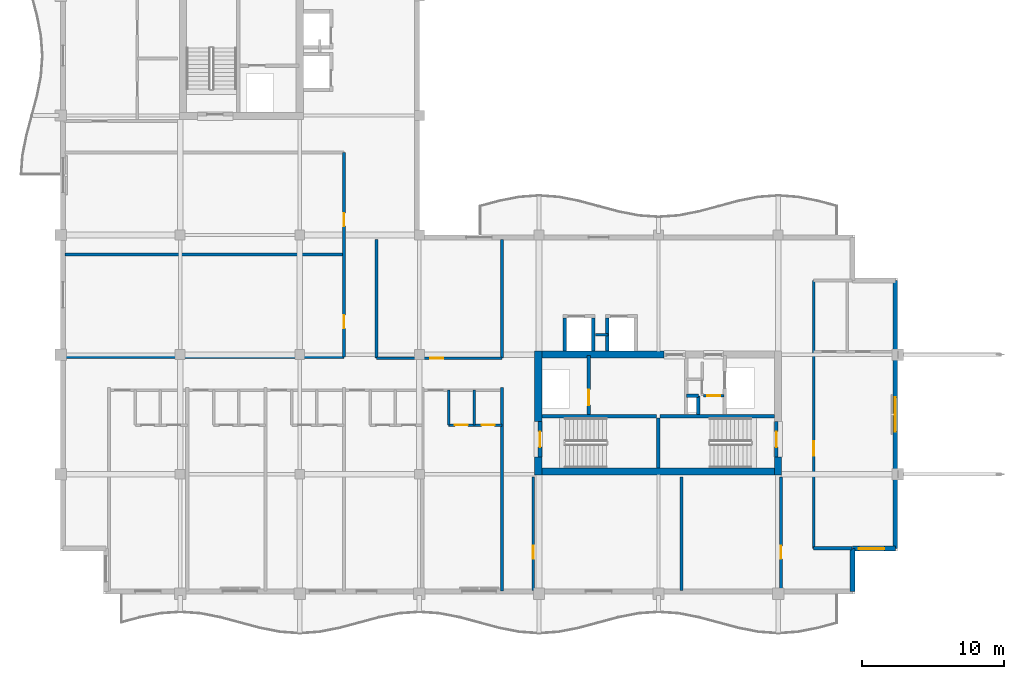
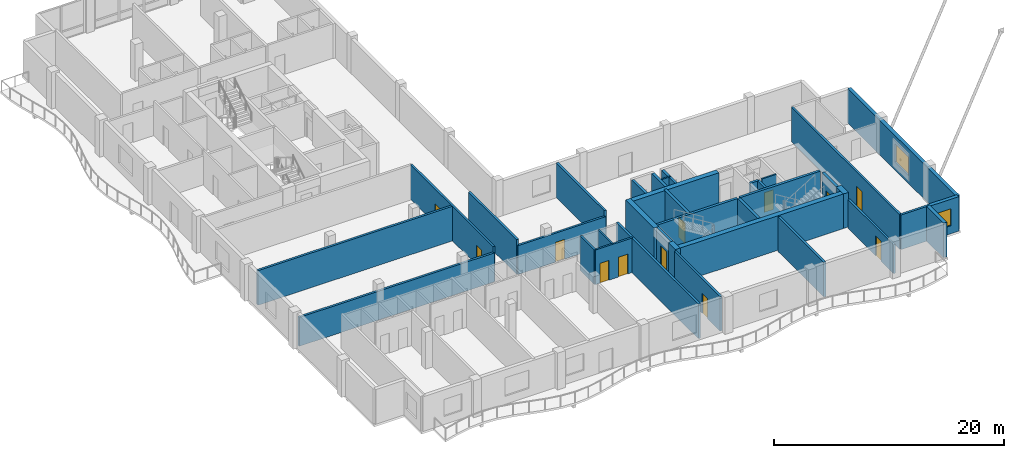
# One storey, part 8 of 17: 36 walls, 12 doors, 2 windows, 14 openings.
"""IFC4 building model written with IfcOpenShell, lengths in metres."""

import ifcopenshell
import ifcopenshell.guid

model = None  # the IFC model being written
_history = None  # IfcOwnerHistory: only IFC2X3 demands one
_inside = {}  # id of a spatial element -> (the spatial element, [elements in it])
_under = {}  # id of a project, library or spatial element -> (it, [spatial elements below it])
_declared = {}  # id of a project -> (the project, [libraries it declares])
_typed = {}  # id of a type object -> (the type object, [elements of that type])
_made_of = {}  # id of a material, layer set ... -> (it, [elements and type objects made of it])


def new_model(schema):
    """Start an empty IFC model of exactly this schema.

    Asked for "IFC4X3", IfcOpenShell would pick the latest addendum, in which some entities
    have other attributes; the version numbers below select the first issue.
    IFC2X3 requires an IfcOwnerHistory on every rooted entity: one is made here for all.
    """
    global model, _history
    if schema == "IFC4X3":
        model = ifcopenshell.file(schema_version=(4, 3, 0, 0))
    else:
        model = ifcopenshell.file(schema=schema)
    _inside.clear()
    _under.clear()
    _declared.clear()
    _typed.clear()
    _made_of.clear()
    _history = None
    if model.schema == "IFC2X3":
        org = make("IfcOrganization", Name="unknown")
        user = make(
            "IfcPersonAndOrganization",
            ThePerson=make("IfcPerson", FamilyName="unknown"),
            TheOrganization=org,
        )
        app = make(
            "IfcApplication",
            ApplicationDeveloper=org,
            Version="unknown",
            ApplicationFullName="unknown",
            ApplicationIdentifier="unknown",
        )
        _history = make(
            "IfcOwnerHistory",
            OwningUser=user,
            OwningApplication=app,
            ChangeAction="ADDED",
            CreationDate=0,
        )
    return model


def make(cls, **values):
    """One entity of the class cls with the attributes given. An attribute that is None is left unset."""
    return model.create_entity(
        cls, **{name: value for name, value in values.items() if value is not None}
    )


def rooted(cls, **values):
    """An entity with a GlobalId (a new one), such as an element, a storey or a relation."""
    return make(cls, GlobalId=ifcopenshell.guid.new(), OwnerHistory=_history, **values)


def si_unit(unit_type, name, prefix=None):
    """IfcSIUnit, for example si_unit("LENGTHUNIT", "METRE", prefix="MILLI")."""
    return make("IfcSIUnit", UnitType=unit_type, Prefix=prefix, Name=name)


def assignment(units):
    """IfcUnitAssignment: the units of a project."""
    return None if units is None else make("IfcUnitAssignment", Units=units)


def point(xyz):
    """IfcCartesianPoint."""
    return None if xyz is None else make("IfcCartesianPoint", Coordinates=xyz)


def direction(xyz):
    """IfcDirection."""
    return None if xyz is None else make("IfcDirection", DirectionRatios=xyz)


def frame(location, z_axis=None, x_axis=None):
    """IfcAxis2Placement3D, a coordinate frame: its origin and axes. An axis left out is left unset."""
    return make(
        "IfcAxis2Placement3D",
        Location=point(location),
        Axis=direction(z_axis),
        RefDirection=direction(x_axis),
    )


def frame_2d(location, x_axis=None):
    """IfcAxis2Placement2D, a coordinate frame in the plane: its origin and x axis."""
    return make(
        "IfcAxis2Placement2D", Location=point(location), RefDirection=direction(x_axis)
    )


def origin():
    """The frame at (0, 0, 0) with its axes left unset."""
    return frame((0.0, 0.0, 0.0))


def place(relative_to, where):
    """IfcLocalPlacement: puts the frame where relative to a parent placement (None: the world)."""
    return make(
        "IfcLocalPlacement", PlacementRelTo=relative_to, RelativePlacement=where
    )


def context(
    kind, dimensions, precision=None, world=None, true_north=None, identifier=None
):
    """IfcGeometricRepresentationContext, for example the 3D "Model" context."""
    return make(
        "IfcGeometricRepresentationContext",
        ContextIdentifier=identifier,
        ContextType=kind,
        CoordinateSpaceDimension=dimensions,
        Precision=precision,
        WorldCoordinateSystem=world,
        TrueNorth=true_north,
    )


def subcontext(parent, identifier, kind, view, scale=None):
    """IfcGeometricRepresentationSubContext, for example "Body" below "Model"."""
    return make(
        "IfcGeometricRepresentationSubContext",
        ContextIdentifier=identifier,
        ContextType=kind,
        ParentContext=parent,
        TargetScale=scale,
        TargetView=view,
    )


def project(units=None, contexts=None):
    """IfcProject with its units and contexts."""
    return rooted(
        "IfcProject",
        Name="project",
        RepresentationContexts=contexts,
        UnitsInContext=assignment(units),
    )


def spatial(cls, under=None, at=None, **own):
    """A site, building, storey or space (cls), placed at a placement, below another one or the project."""
    s = rooted(cls, ObjectPlacement=at, **own)
    if under is not None:
        _under.setdefault(under.id(), (under, []))[1].append(s)
    return s


def profile(cls, at=None, kind="AREA", **sizes):
    """A parametric profile (cls). Its sizes go by their IFC names, for example OverallWidth=200.0."""
    return make(cls, ProfileType=kind, Position=at, **sizes)


def rectangle(**sizes):
    """IfcRectangleProfileDef."""
    return profile("IfcRectangleProfileDef", **sizes)


def extrude(swept, where, along, depth):
    """IfcExtrudedAreaSolid: the profile swept, set in the frame where, extruded along a direction by depth."""
    return make(
        "IfcExtrudedAreaSolid",
        SweptArea=swept,
        Position=where,
        ExtrudedDirection=direction(along),
        Depth=depth,
    )


def shape(context_of_items, identifier, shape_type, items):
    """IfcShapeRepresentation: the items that make up one representation, for example the "Body"."""
    return make(
        "IfcShapeRepresentation",
        ContextOfItems=context_of_items,
        RepresentationIdentifier=identifier,
        RepresentationType=shape_type,
        Items=items,
    )


def material(Name=None, Category=None):
    """IfcMaterial."""
    return make("IfcMaterial", Name=Name, Category=Category)


def layer(
    of_material, thickness, ventilated=None, Name=None, Category=None, Priority=None
):
    """IfcMaterialLayer: one layer of a wall or slab, of a material (None: an air gap)."""
    return make(
        "IfcMaterialLayer",
        Material=of_material,
        LayerThickness=thickness,
        IsVentilated=ventilated,
        Name=Name,
        Category=Category,
        Priority=Priority,
    )


def layer_set(layers, Name=None):
    """IfcMaterialLayerSet."""
    return make("IfcMaterialLayerSet", MaterialLayers=layers, LayerSetName=Name)


def made_of(thing, what):
    """Note that an element or type object is made of a material, layer set ...; save() writes the relation."""
    if what is not None:
        _made_of.setdefault(what.id(), (what, []))[1].append(thing)
    return thing


def type_object(cls, material=None, **own):
    """A type object (cls), such as IfcWallType, which elements share."""
    return made_of(rooted(cls, **own), material)


def element(
    cls,
    number,
    at=None,
    inside=None,
    cuts=None,
    type_object=None,
    material=None,
    context=None,
    identifier="Body",
    shape_type=None,
    held_by="IfcProductDefinitionShape",
    body=None,
    shapes=None,
    **own,
):
    """One element of the class cls, such as IfcWall. Its Tag is "e" and its number.

    at: its placement. inside: the storey or other place that contains it. cuts: it is an
    opening in that element (IfcRelVoidsElement). A single representation is given by context,
    identifier, shape_type and body (its items); several are given by shapes. held_by: the class
    of the entity that holds the representations. save() writes the other relations.
    """
    e = rooted(cls, Tag="e%d" % number, ObjectPlacement=at, **own)
    if body is not None:
        shapes = [shape(context, identifier, shape_type, body)]
    if shapes is not None:
        e.Representation = make(held_by, Representations=shapes)
    if inside is not None:
        _inside.setdefault(inside.id(), (inside, []))[1].append(e)
    if cuts is not None:
        rooted(
            "IfcRelVoidsElement", RelatingBuildingElement=cuts, RelatedOpeningElement=e
        )
    if type_object is not None:
        _typed.setdefault(type_object.id(), (type_object, []))[1].append(e)
    return made_of(e, material)


def fill(opening, filler):
    """IfcRelFillsElement: the door or window that sits in an opening."""
    return rooted(
        "IfcRelFillsElement",
        RelatingOpeningElement=opening,
        RelatedBuildingElement=filler,
    )


def aggregate(whole, parts):
    """IfcRelAggregates: a whole, such as a stair, and the parts it consists of."""
    return rooted("IfcRelAggregates", RelatingObject=whole, RelatedObjects=parts)


def save(model, path):
    """Write the relations noted so far, then the file.

    IfcRelAggregates (storeys below a building ...), IfcRelContainedInSpatialStructure (elements
    in a storey), IfcRelDefinesByType, IfcRelAssociatesMaterial and IfcRelDeclares: one each for
    every whole, place, type object, material and project.
    """
    for whole, parts in _under.values():
        aggregate(whole, parts)
    for where, things in _inside.values():
        rooted(
            "IfcRelContainedInSpatialStructure",
            RelatedElements=things,
            RelatingStructure=where,
        )
    for kind, things in _typed.values():
        rooted("IfcRelDefinesByType", RelatedObjects=things, RelatingType=kind)
    for what, things in _made_of.values():
        rooted("IfcRelAssociatesMaterial", RelatedObjects=things, RelatingMaterial=what)
    for by, libraries in _declared.values():
        rooted("IfcRelDeclares", RelatingContext=by, RelatedDefinitions=libraries)
    model.write(path)


model = new_model("IFC4")

# Units and contexts
model_context = context("Model", 3, precision=1e-05, world=origin(), true_north=direction((0.0, 1.0)))
body_context = subcontext(model_context, "Body", "Model", "MODEL_VIEW")
ifc_project = project(units=[si_unit("LENGTHUNIT", "METRE"), si_unit("AREAUNIT", "SQUARE_METRE"), si_unit("VOLUMEUNIT", "CUBIC_METRE"), si_unit("PLANEANGLEUNIT", "RADIAN"), si_unit("MASSUNIT", "GRAM", prefix="KILO")], contexts=[model_context])

# Site, building, storey
site_placement = place(None, origin())
site = spatial("IfcSite", under=ifc_project, at=site_placement, CompositionType="ELEMENT")
building_placement = place(site_placement, origin())
building = spatial("IfcBuilding", under=site, at=building_placement, Name="Koriwani Terraces Tower", CompositionType="ELEMENT")
storey_placement = place(building_placement, frame((0.0, 0.0, 347.60009765625)))
storey = spatial("IfcBuildingStorey", under=building, at=storey_placement, Name="L86", CompositionType="ELEMENT", Elevation=347.60009765625)

# Walls
ifc_material_1 = material(Name="Concrete C50/60", Category="concrete")
ifc_layer_1 = layer(ifc_material_1, 0.5, Name="Concrete C50/60")
ifc_layer_set_1 = layer_set([ifc_layer_1], Name="Concrete C50/60")
wall_type_1 = type_object("IfcWallType", Name="WALL_CORE_RC_500", PredefinedType="SHEAR", material=ifc_layer_set_1)
wall_1_placement = place(storey_placement, frame((41.949951171875, 16.75, 0.0), z_axis=(0.0, 0.0, 1.0), x_axis=(0.0, 1.0, 0.0)))
element("IfcWall", 1, at=wall_1_placement, inside=storey, type_object=wall_type_1, Name="L86 East Split Core Shear Wall W1", PredefinedType="SHEAR", context=body_context, shape_type="SweptSolid", body=[
    extrude(rectangle(XDim=1.25, YDim=0.5, at=frame_2d((0.625, 0.0))), origin(), (0.0, 0.0, 1.0), 3.669921875),
])
wall_2_placement = place(storey_placement, frame((41.949951171875, 20.5, 0.0), z_axis=(0.0, 0.0, 1.0), x_axis=(0.0, 1.0, 0.0)))
element("IfcWall", 2, at=wall_2_placement, inside=storey, type_object=wall_type_1, Name="L86 East Split Core Shear Wall W2", PredefinedType="SHEAR", context=body_context, shape_type="SweptSolid", body=[
    extrude(rectangle(XDim=4.949951171875, YDim=0.5, at=frame_2d((2.47509765625, 0.0))), origin(), (0.0, 0.0, 1.0), 3.669921875),
])
wall_3_placement = place(storey_placement, frame((58.800048828125, 16.75, 0.0), z_axis=(0.0, 0.0, 1.0), x_axis=(0.0, 1.0, 0.0)))
element("IfcWall", 3, at=wall_3_placement, inside=storey, type_object=wall_type_1, Name="L86 East Split Core Shear Wall E1", PredefinedType="SHEAR", context=body_context, shape_type="SweptSolid", body=[
    extrude(rectangle(XDim=1.25, YDim=0.5, at=frame_2d((0.625, 0.0))), origin(), (0.0, 0.0, 1.0), 3.669921875),
])
wall_4_placement = place(storey_placement, frame((42.199951171875, 17.0, 0.0), z_axis=(0.0, 0.0, 1.0), x_axis=(1.0, 0.0, 0.0)))
element("IfcWall", 4, at=wall_4_placement, inside=storey, type_object=wall_type_1, Name="L86 East Split Core Shear Wall S1", PredefinedType="SHEAR", context=body_context, shape_type="SweptSolid", body=[
    extrude(rectangle(XDim=16.35009765625, YDim=0.5, at=frame_2d((8.175048828125, 0.0))), origin(), (0.0, 0.0, 1.0), 3.669921875),
])
wall_5_placement = place(storey_placement, frame((42.199951171875, 25.199951171875, 0.0), z_axis=(0.0, 0.0, 1.0), x_axis=(1.0, 0.0, 0.0)))
element("IfcWall", 5, at=wall_5_placement, inside=storey, type_object=wall_type_1, Name="L86 East Split Core Shear Wall N1", PredefinedType="SHEAR", context=body_context, shape_type="SweptSolid", body=[
    extrude(rectangle(XDim=8.60009765625, YDim=0.5, at=frame_2d((4.300048828125, 0.0))), origin(), (0.0, 0.0, 1.0), 3.669921875),
])

# Wall, opening, door
ifc_material_2 = material(Name="Autoclaved Cellular Concrete Blockwork", Category="masonry")
ifc_layer_2 = layer(ifc_material_2, 0.199951171875, Name="Autoclaved Cellular Concrete Blockwork")
ifc_layer_set_2 = layer_set([ifc_layer_2], Name="Autoclaved Cellular Concrete Blockwork")
wall_type_2 = type_object("IfcWallType", Name="WALL_CORRIDOR_200", PredefinedType="PARTITIONING", material=ifc_layer_set_2)
wall_6_placement = place(storey_placement, frame((30.60009765625, 24.949951171875, 0.0), z_axis=(0.0, 0.0, 1.0), x_axis=(1.0, 0.0, 0.0)))
wall_6 = element("IfcWall", 6, at=wall_6_placement, inside=storey, type_object=wall_type_2, Name="L86 Interior Wall WIC4S-L86", PredefinedType="PARTITIONING", context=body_context, shape_type="SweptSolid", body=[
    extrude(rectangle(XDim=8.7998046875, YDim=0.199951171875, at=frame_2d((4.39990234375, 0.0))), origin(), (0.0, 0.0, 1.0), 3.06982421875),
])
opening_1_placement = place(wall_6_placement, frame((3.75, 0.0, 0.0)))
opening_1 = element("IfcOpeningElement", 7, at=opening_1_placement, cuts=wall_6, Name="Opening D-06", PredefinedType="OPENING", context=body_context, shape_type="SweptSolid", body=[
    extrude(rectangle(XDim=0.919921875, YDim=2.10009765625, at=frame_2d((0.4599609375, 1.050048828125))), frame((0.0, 0.10986328125, 0.0), z_axis=(0.0, -1.0, 0.0), x_axis=(1.0, 0.0, 0.0)), (0.0, 0.0, 1.0), 0.219970703125),
])
ifc_material_3 = material(Name="Architectural Oak Fire Door", Category="wood")
door_type_1 = type_object("IfcDoorType", Name="DOOR_ROOM_INT_920X2100", OperationType="NOTDEFINED", PredefinedType="DOOR", material=ifc_material_3)
door_1_placement = place(opening_1_placement, origin())
door_1 = element("IfcDoor", 8, at=door_1_placement, inside=storey, type_object=door_type_1, Name="L86 High-Rise Court Lounge Door", OperationType="SINGLE_SWING_RIGHT", OverallHeight=2.10009765625, OverallWidth=0.919921875, PredefinedType="DOOR", context=body_context, shape_type="SweptSolid", body=[
    extrude(rectangle(XDim=0.919921875, YDim=2.10009765625, at=frame_2d((0.4599609375, 1.050048828125))), frame((0.0, 0.02490234375, 0.0), z_axis=(0.0, -1.0, 0.0), x_axis=(1.0, 0.0, 0.0)), (0.0, 0.0, 1.0), 0.050048828125),
])
fill(opening_1, door_1)

wall_7_placement = place(storey_placement, frame((41.60009765625, 8.64990234375, 0.0), z_axis=(0.0, 0.0, 1.0), x_axis=(0.0, 1.0, 0.0)))
wall_7 = element("IfcWall", 9, at=wall_7_placement, inside=storey, type_object=wall_type_2, Name="L86 Interior Wall WRZ4-EW-L86", PredefinedType="PARTITIONING", context=body_context, shape_type="SweptSolid", body=[
    extrude(rectangle(XDim=7.9501953125, YDim=0.199951171875, at=frame_2d((3.97509765625, 0.0))), origin(), (0.0, 0.0, 1.0), 3.669921875),
])
opening_2_placement = place(wall_7_placement, frame((2.199951171875, 0.0, 0.0)))
opening_2 = element("IfcOpeningElement", 10, at=opening_2_placement, cuts=wall_7, Name="Opening D-06", PredefinedType="OPENING", context=body_context, shape_type="SweptSolid", body=[
    extrude(rectangle(XDim=0.919921875, YDim=2.10009765625, at=frame_2d((0.4599609375, 1.050048828125))), frame((0.0, 0.10986328125, 0.0), z_axis=(0.0, -1.0, 0.0), x_axis=(1.0, 0.0, 0.0)), (0.0, 0.0, 1.0), 0.219970703125),
])
door_2_placement = place(opening_2_placement, origin())
door_2 = element("IfcDoor", 11, at=door_2_placement, inside=storey, type_object=door_type_1, Name="L86 Resident Library Study Door", OperationType="SINGLE_SWING_LEFT", OverallHeight=2.10009765625, OverallWidth=0.919921875, PredefinedType="DOOR", context=body_context, shape_type="SweptSolid", body=[
    extrude(rectangle(XDim=0.919921875, YDim=2.10009765625, at=frame_2d((0.4599609375, 1.050048828125))), frame((0.0, 0.02490234375, 0.0), z_axis=(0.0, -1.0, 0.0), x_axis=(1.0, 0.0, 0.0)), (0.0, 0.0, 1.0), 0.050048828125),
])
fill(opening_2, door_2)

wall_8_placement = place(storey_placement, frame((59.0, 8.64990234375, 0.0), z_axis=(0.0, 0.0, 1.0), x_axis=(0.0, 1.0, 0.0)))
wall_8 = element("IfcWall", 12, at=wall_8_placement, inside=storey, type_object=wall_type_2, Name="L86 Interior Wall WRZ4-EE-L86", PredefinedType="PARTITIONING", context=body_context, shape_type="SweptSolid", body=[
    extrude(rectangle(XDim=7.9501953125, YDim=0.199951171875, at=frame_2d((3.97509765625, 0.0))), origin(), (0.0, 0.0, 1.0), 3.058837890625),
])
opening_3_placement = place(wall_8_placement, frame((2.199951171875, 0.0, 0.0)))
opening_3 = element("IfcOpeningElement", 13, at=opening_3_placement, cuts=wall_8, Name="Opening D-06", PredefinedType="OPENING", context=body_context, shape_type="SweptSolid", body=[
    extrude(rectangle(XDim=0.919921875, YDim=2.10009765625, at=frame_2d((0.4599609375, 1.050048828125))), frame((0.0, 0.10986328125, 0.0), z_axis=(0.0, -1.0, 0.0), x_axis=(1.0, 0.0, 0.0)), (0.0, 0.0, 1.0), 0.219970703125),
])
door_3_placement = place(opening_3_placement, origin())
door_3 = element("IfcDoor", 14, at=door_3_placement, inside=storey, type_object=door_type_1, Name="L86 Resident Laundry Room Door", OperationType="SINGLE_SWING_RIGHT", OverallHeight=2.10009765625, OverallWidth=0.919921875, PredefinedType="DOOR", context=body_context, shape_type="SweptSolid", body=[
    extrude(rectangle(XDim=0.919921875, YDim=2.10009765625, at=frame_2d((0.4599609375, 1.050048828125))), frame((0.0, 0.02490234375, 0.0), z_axis=(0.0, -1.0, 0.0), x_axis=(1.0, 0.0, 0.0)), (0.0, 0.0, 1.0), 0.050048828125),
])
fill(opening_3, door_3)

# Wall, openings, doors
wall_9_placement = place(storey_placement, frame((28.300048828125, 25.050048828125, 0.0), z_axis=(0.0, 0.0, 1.0), x_axis=(0.0, 1.0, 0.0)))
wall_9 = element("IfcWall", 15, at=wall_9_placement, inside=storey, type_object=wall_type_2, Name="L86 Interior Wall WZ4NECL-L86", PredefinedType="PARTITIONING", context=body_context, shape_type="SweptSolid", body=[
    extrude(rectangle(XDim=14.349853515625, YDim=0.199951171875, at=frame_2d((7.1748046875, 0.0))), origin(), (0.0, 0.0, 1.0), 3.669921875),
])
opening_4_placement = place(wall_9_placement, frame((2.0, 0.0, 0.0)))
opening_4 = element("IfcOpeningElement", 16, at=opening_4_placement, cuts=wall_9, Name="Opening D-06", PredefinedType="OPENING", context=body_context, shape_type="SweptSolid", body=[
    extrude(rectangle(XDim=0.919921875, YDim=2.10009765625, at=frame_2d((0.4599609375, 1.050048828125))), frame((0.0, 0.10986328125, 0.0), z_axis=(0.0, -1.0, 0.0), x_axis=(1.0, 0.0, 0.0)), (0.0, 0.0, 1.0), 0.219970703125),
])
opening_5_placement = place(wall_9_placement, frame((9.175048828125, 0.0, 0.0)))
opening_5 = element("IfcOpeningElement", 17, at=opening_5_placement, cuts=wall_9, Name="Opening D-06", PredefinedType="OPENING", context=body_context, shape_type="SweptSolid", body=[
    extrude(rectangle(XDim=0.919921875, YDim=2.10009765625, at=frame_2d((0.4599609375, 1.050048828125))), frame((0.0, 0.10986328125, 0.0), z_axis=(0.0, -1.0, 0.0), x_axis=(1.0, 0.0, 0.0)), (0.0, 0.0, 1.0), 0.219970703125),
])
door_4_placement = place(opening_4_placement, origin())
door_4 = element("IfcDoor", 18, at=door_4_placement, inside=storey, type_object=door_type_1, Name="L86 Observatory Library Door", OperationType="SINGLE_SWING_RIGHT", OverallHeight=2.10009765625, OverallWidth=0.919921875, PredefinedType="DOOR", context=body_context, shape_type="SweptSolid", body=[
    extrude(rectangle(XDim=0.919921875, YDim=2.10009765625, at=frame_2d((0.4599609375, 1.050048828125))), frame((0.0, 0.02490234375, 0.0), z_axis=(0.0, -1.0, 0.0), x_axis=(1.0, 0.0, 0.0)), (0.0, 0.0, 1.0), 0.050048828125),
])
fill(opening_4, door_4)
door_5_placement = place(opening_5_placement, origin())
door_5 = element("IfcDoor", 19, at=door_5_placement, inside=storey, type_object=door_type_1, Name="L86 Altitude Tea Salon Door", OperationType="SINGLE_SWING_LEFT", OverallHeight=2.10009765625, OverallWidth=0.919921875, PredefinedType="DOOR", context=body_context, shape_type="SweptSolid", body=[
    extrude(rectangle(XDim=0.919921875, YDim=2.10009765625, at=frame_2d((0.4599609375, 1.050048828125))), frame((0.0, 0.02490234375, 0.0), z_axis=(0.0, -1.0, 0.0), x_axis=(1.0, 0.0, 0.0)), (0.0, 0.0, 1.0), 0.050048828125),
])
fill(opening_5, door_5)

# Wall, opening, door
wall_10_placement = place(storey_placement, frame((61.300048828125, 11.60009765625, 0.0), z_axis=(0.0, 0.0, 1.0), x_axis=(0.0, 1.0, 0.0)))
wall_10 = element("IfcWall", 20, at=wall_10_placement, inside=storey, type_object=wall_type_2, Name="L86 Interior Wall WET-W-L86", PredefinedType="PARTITIONING", context=body_context, shape_type="SweptSolid", body=[
    extrude(rectangle(XDim=18.7998046875, YDim=0.199951171875, at=frame_2d((9.39990234375, 0.0))), origin(), (0.0, 0.0, 1.0), 3.669921875),
])
opening_6_placement = place(wall_10_placement, frame((6.5, 0.0, 0.0)))
opening_6 = element("IfcOpeningElement", 21, at=opening_6_placement, cuts=wall_10, Name="Opening D-05", PredefinedType="OPENING", context=body_context, shape_type="SweptSolid", body=[
    extrude(rectangle(XDim=1.0, YDim=2.14990234375, at=frame_2d((0.5, 1.074951171875))), frame((0.0, 0.10986328125, 0.0), z_axis=(0.0, -1.0, 0.0), x_axis=(1.0, 0.0, 0.0)), (0.0, 0.0, 1.0), 0.219970703125),
])
door_type_2 = type_object("IfcDoorType", Name="DOOR_SUITE_ENTRY_1000X2150", OperationType="NOTDEFINED", PredefinedType="DOOR", material=ifc_material_3)
door_6_placement = place(opening_6_placement, origin())
door_6 = element("IfcDoor", 22, at=door_6_placement, inside=storey, type_object=door_type_2, Name="Apartment 86ET Entrance Door", OperationType="SINGLE_SWING_LEFT", OverallHeight=2.14990234375, OverallWidth=1.0, PredefinedType="DOOR", context=body_context, shape_type="SweptSolid", body=[
    extrude(rectangle(XDim=1.0, YDim=2.14990234375, at=frame_2d((0.5, 1.074951171875))), frame((0.0, 0.02490234375, 0.0), z_axis=(0.0, -1.0, 0.0), x_axis=(1.0, 0.0, 0.0)), (0.0, 0.0, 1.0), 0.050048828125),
])
fill(opening_6, door_6)

# Walls
ifc_layer_3 = layer(ifc_material_2, 0.219970703125, Name="Autoclaved Cellular Concrete Blockwork")
ifc_layer_set_3 = layer_set([ifc_layer_3], Name="Autoclaved Cellular Concrete Blockwork")
wall_type_3 = type_object("IfcWallType", Name="WALL_DEMISING_220", PredefinedType="PARTITIONING", material=ifc_layer_set_3)
for number, where, z_axis, x_axis, name in (
    (23, (30.60009765625, 24.949951171875, 0.0), (0.0, 0.0, 1.0), (0.0, 1.0, 0.0), "L86 Interior Wall WIC4SW-L86"),
    (24, (39.39990234375, 24.949951171875, 0.0), (0.0, 0.0, 1.0), (0.0, 1.0, 0.0), "L86 Interior Wall WIC4SE-L86"),
):
    element("IfcWall", number, at=place(storey_placement, frame(where, z_axis=z_axis, x_axis=x_axis)), inside=storey, type_object=wall_type_3, Name=name, PredefinedType="PARTITIONING", context=body_context, shape_type="SweptSolid", body=[
        extrude(rectangle(XDim=8.35009765625, YDim=0.219970703125, at=frame_2d((4.175048828125, 0.0))), origin(), (0.0, 0.0, 1.0), 3.669921875),
    ])
wall_11_placement = place(storey_placement, frame((52.0, 8.64990234375, 0.0), z_axis=(0.0, 0.0, 1.0), x_axis=(0.0, 1.0, 0.0)))
element("IfcWall", 25, at=wall_11_placement, inside=storey, type_object=wall_type_3, Name="L86 Interior Wall WRZ4-EM-L86", PredefinedType="PARTITIONING", context=body_context, shape_type="SweptSolid", body=[
    extrude(rectangle(XDim=7.9501953125, YDim=0.219970703125, at=frame_2d((3.97509765625, 0.0))), origin(), (0.0, 0.0, 1.0), 3.669921875),
])
wall_12_placement = place(storey_placement, frame((39.39990234375, 8.60009765625, 0.0), z_axis=(0.0, 0.0, 1.0), x_axis=(0.0, 1.0, 0.0)))
element("IfcWall", 26, at=wall_12_placement, inside=storey, type_object=wall_type_3, Name="L86 Interior Wall WRDEME-L86-SW", PredefinedType="PARTITIONING", context=body_context, shape_type="SweptSolid", body=[
    extrude(rectangle(XDim=14.27978515625, YDim=0.219970703125, at=frame_2d((7.139892578125, 0.0))), origin(), (0.0, 0.0, 1.0), 3.669921875),
])
wall_13_placement = place(storey_placement, frame((8.699951171875, 25.050048828125, 0.0), z_axis=(0.0, 0.0, 1.0), x_axis=(1.0, 0.0, 0.0)))
element("IfcWall", 27, at=wall_13_placement, inside=storey, type_object=wall_type_3, Name="L86 Interior Wall WZ4NES-L86", PredefinedType="PARTITIONING", context=body_context, shape_type="SweptSolid", body=[
    extrude(rectangle(XDim=19.60009765625, YDim=0.219970703125, at=frame_2d((9.800048828125, 0.0))), origin(), (0.0, 0.0, 1.0), 3.058837890625),
])
wall_14_placement = place(storey_placement, frame((8.699951171875, 32.22509765625, 0.0), z_axis=(0.0, 0.0, 1.0), x_axis=(1.0, 0.0, 0.0)))
element("IfcWall", 28, at=wall_14_placement, inside=storey, type_object=wall_type_3, Name="L86 Interior Wall WZ4NEM-L86", PredefinedType="PARTITIONING", context=body_context, shape_type="SweptSolid", body=[
    extrude(rectangle(XDim=19.60009765625, YDim=0.219970703125, at=frame_2d((9.800048828125, 0.0))), origin(), (0.0, 0.0, 1.0), 3.669921875),
])
wall_15_placement = place(storey_placement, frame((61.300048828125, 11.60009765625, 0.0), z_axis=(0.0, 0.0, 1.0), x_axis=(1.0, 0.0, 0.0)))
element("IfcWall", 29, at=wall_15_placement, inside=storey, type_object=wall_type_3, Name="L86 Interior Wall WET-S-L86", PredefinedType="PARTITIONING", context=body_context, shape_type="SweptSolid", body=[
    extrude(rectangle(XDim=2.699951171875, YDim=0.219970703125, at=frame_2d((1.35009765625, 0.0))), origin(), (0.0, 0.0, 1.0), 3.669921875),
])

# Wall, opening, window
ifc_layer_4 = layer(ifc_material_1, 0.35009765625, Name="Concrete C50/60")
ifc_layer_set_4 = layer_set([ifc_layer_4], Name="Concrete C50/60")
wall_type_4 = type_object("IfcWallType", Name="WALL_EXT_BRUTALIST_350", PredefinedType="STANDARD", material=ifc_layer_set_4)
wall_16_placement = place(storey_placement, frame((67.02490234375, 30.425048828125, 0.0), z_axis=(0.0, 0.0, 1.0), x_axis=(0.0, -1.0, 0.0)))
wall_16 = element("IfcWall", 30, at=wall_16_placement, inside=storey, type_object=wall_type_4, Name="L86 Fair-Faced Brutalist Exterior Wall (E_TIP)", PredefinedType="STANDARD", context=body_context, shape_type="SweptSolid", body=[
    extrude(rectangle(XDim=18.85009765625, YDim=0.35009765625, at=frame_2d((9.425048828125, 0.0))), origin(), (0.0, 0.0, 1.0), 3.669921875),
])
opening_7_placement = place(wall_16_placement, frame((8.22509765625, 0.0, 0.85009765625)))
opening_7 = element("IfcOpeningElement", 31, at=opening_7_placement, cuts=wall_16, Name="Opening W-03", PredefinedType="OPENING", context=body_context, shape_type="SweptSolid", body=[
    extrude(rectangle(XDim=2.39990234375, YDim=1.949951171875, at=frame_2d((1.199951171875, 0.97509765625))), frame((0.0, 0.18505859375, 0.0), z_axis=(0.0, -1.0, 0.0), x_axis=(1.0, 0.0, 0.0)), (0.0, 0.0, 1.0), 0.3701171875),
])
ifc_material_4 = material(Name="Tempered Laminated Low-E Glass", Category="glass")
window_type_1 = type_object("IfcWindowType", Name="WIN_RES_LIVING_2400X1950", PartitioningType="DOUBLE_PANEL_VERTICAL", PredefinedType="WINDOW", material=ifc_material_4)
window_1_placement = place(opening_7_placement, origin())
window_1 = element("IfcWindow", 32, at=window_1_placement, inside=storey, type_object=window_type_1, Name="L86 Exterior Window (E_TIP-3)", OverallHeight=1.949951171875, OverallWidth=2.39990234375, PartitioningType="SINGLE_PANEL", PredefinedType="WINDOW", context=body_context, shape_type="SweptSolid", body=[
    extrude(rectangle(XDim=2.39990234375, YDim=1.949951171875, at=frame_2d((1.199951171875, 0.97509765625))), frame((0.0, 0.030029296875, 0.0), z_axis=(0.0, -1.0, 0.0), x_axis=(1.0, 0.0, 0.0)), (0.0, 0.0, 1.0), 0.06005859375),
])
fill(opening_7, window_1)

wall_17_placement = place(storey_placement, frame((67.02490234375, 11.574951171875, 0.0), z_axis=(0.0, 0.0, 1.0), x_axis=(-1.0, 0.0, 0.0)))
wall_17 = element("IfcWall", 33, at=wall_17_placement, inside=storey, type_object=wall_type_4, Name="L86 Fair-Faced Brutalist Exterior Wall (N13)", PredefinedType="STANDARD", context=body_context, shape_type="SweptSolid", body=[
    extrude(rectangle(XDim=3.0, YDim=0.35009765625, at=frame_2d((1.5, 0.0))), origin(), (0.0, 0.0, 1.0), 3.669921875),
])
opening_8_placement = place(wall_17_placement, frame((0.762451171875, 0.0, 0.85009765625)))
opening_8 = element("IfcOpeningElement", 34, at=opening_8_placement, cuts=wall_17, Name="Opening W-04", PredefinedType="OPENING", context=body_context, shape_type="SweptSolid", body=[
    extrude(rectangle(XDim=1.800048828125, YDim=1.800048828125, at=frame_2d((0.89990234375, 0.89990234375))), frame((0.0, 0.18505859375, 0.0), z_axis=(0.0, -1.0, 0.0), x_axis=(1.0, 0.0, 0.0)), (0.0, 0.0, 1.0), 0.3701171875),
])
window_type_2 = type_object("IfcWindowType", Name="WIN_RES_BED_1800X1800", PartitioningType="DOUBLE_PANEL_VERTICAL", PredefinedType="WINDOW", material=ifc_material_4)
window_2_placement = place(opening_8_placement, origin())
window_2 = element("IfcWindow", 35, at=window_2_placement, inside=storey, type_object=window_type_2, Name="L86 Exterior Window (N13-R59)", OverallHeight=1.800048828125, OverallWidth=1.800048828125, PartitioningType="SINGLE_PANEL", PredefinedType="WINDOW", context=body_context, shape_type="SweptSolid", body=[
    extrude(rectangle(XDim=1.800048828125, YDim=1.800048828125, at=frame_2d((0.89990234375, 0.89990234375))), frame((0.0, 0.030029296875, 0.0), z_axis=(0.0, -1.0, 0.0), x_axis=(1.0, 0.0, 0.0)), (0.0, 0.0, 1.0), 0.06005859375),
])
fill(opening_8, window_2)

# Wall
wall_18_placement = place(storey_placement, frame((64.02490234375, 11.574951171875, 0.0), z_axis=(0.0, 0.0, 1.0), x_axis=(0.0, -1.0, 0.0)))
element("IfcWall", 36, at=wall_18_placement, inside=storey, type_object=wall_type_4, Name="L86 Fair-Faced Brutalist Exterior Wall (N14)", PredefinedType="STANDARD", context=body_context, shape_type="SweptSolid", body=[
    extrude(rectangle(XDim=3.0, YDim=0.35009765625, at=frame_2d((1.5, 0.0))), origin(), (0.0, 0.0, 1.0), 3.669921875),
])

# Wall, openings, doors
ifc_material_5 = material(Name="Fire-Rated Acoustic Gypsum Partition", Category="masonry")
ifc_layer_5 = layer(ifc_material_5, 0.179931640625, Name="Fire-Rated Acoustic Gypsum Partition")
ifc_layer_set_5 = layer_set([ifc_layer_5], Name="Fire-Rated Acoustic Gypsum Partition")
wall_type_5 = type_object("IfcWallType", Name="WALL_PLUMBING_180", PredefinedType="PLUMBINGWALL", material=ifc_layer_set_5)
wall_19_placement = place(storey_placement, frame((35.64990234375, 20.25, 0.0), z_axis=(0.0, 0.0, 1.0), x_axis=(1.0, 0.0, 0.0)))
wall_19 = element("IfcWall", 37, at=wall_19_placement, inside=storey, type_object=wall_type_5, Name="L86 Interior Wall WRSVC-L86-SW-4", PredefinedType="PLUMBINGWALL", context=body_context, shape_type="SweptSolid", body=[
    extrude(rectangle(XDim=3.75, YDim=0.179931640625, at=frame_2d((1.875, 0.0))), origin(), (0.0, 0.0, 1.0), 3.669921875),
])
opening_9_placement = place(wall_19_placement, frame((0.449951171875, 0.0, 0.0)))
opening_9 = element("IfcOpeningElement", 38, at=opening_9_placement, cuts=wall_19, Name="Opening D-07", PredefinedType="OPENING", context=body_context, shape_type="SweptSolid", body=[
    extrude(rectangle(XDim=0.89990234375, YDim=2.10009765625, at=frame_2d((0.449951171875, 1.050048828125))), frame((0.0, 0.10009765625, 0.0), z_axis=(0.0, -1.0, 0.0), x_axis=(1.0, 0.0, 0.0)), (0.0, 0.0, 1.0), 0.199951171875),
])
opening_10_placement = place(wall_19_placement, frame((2.31494140625, 0.0, 0.0)))
opening_10 = element("IfcOpeningElement", 39, at=opening_10_placement, cuts=wall_19, Name="Opening D-06", PredefinedType="OPENING", context=body_context, shape_type="SweptSolid", body=[
    extrude(rectangle(XDim=0.919921875, YDim=2.10009765625, at=frame_2d((0.4599609375, 1.050048828125))), frame((0.0, 0.10009765625, 0.0), z_axis=(0.0, -1.0, 0.0), x_axis=(1.0, 0.0, 0.0)), (0.0, 0.0, 1.0), 0.199951171875),
])
door_type_3 = type_object("IfcDoorType", Name="DOOR_BATH_INT_900X2100", OperationType="NOTDEFINED", PredefinedType="DOOR", material=ifc_material_3)
door_7_placement = place(opening_9_placement, origin())
door_7 = element("IfcDoor", 40, at=door_7_placement, inside=storey, type_object=door_type_3, Name="Apartment 86SW5 Bathroom Door", OperationType="SINGLE_SWING_RIGHT", OverallHeight=2.10009765625, OverallWidth=0.89990234375, PredefinedType="DOOR", context=body_context, shape_type="SweptSolid", body=[
    extrude(rectangle(XDim=0.89990234375, YDim=2.10009765625, at=frame_2d((0.449951171875, 1.050048828125))), frame((0.0, 0.02490234375, 0.0), z_axis=(0.0, -1.0, 0.0), x_axis=(1.0, 0.0, 0.0)), (0.0, 0.0, 1.0), 0.050048828125),
])
fill(opening_9, door_7)
door_8_placement = place(opening_10_placement, origin())
door_8 = element("IfcDoor", 41, at=door_8_placement, inside=storey, type_object=door_type_1, Name="Apartment 86SW5 Kitchen Door", OperationType="SINGLE_SWING_LEFT", OverallHeight=2.10009765625, OverallWidth=0.919921875, PredefinedType="DOOR", context=body_context, shape_type="SweptSolid", body=[
    extrude(rectangle(XDim=0.919921875, YDim=2.10009765625, at=frame_2d((0.4599609375, 1.050048828125))), frame((0.0, 0.02490234375, 0.0), z_axis=(0.0, -1.0, 0.0), x_axis=(1.0, 0.0, 0.0)), (0.0, 0.0, 1.0), 0.050048828125),
])
fill(opening_10, door_8)

# Walls
for number, where, z_axis, x_axis, name in (
    (42, (35.64990234375, 20.25, 0.0), (0.0, 0.0, 1.0), (0.0, 1.0, 0.0), "L86 Interior Wall WRSVCS-L86-SW-4"),
    (43, (37.449951171875, 20.25, 0.0), (0.0, 0.0, 1.0), (0.0, 1.0, 0.0), "L86 Interior Wall WRSVCM-L86-SW-4"),
):
    element("IfcWall", number, at=place(storey_placement, frame(where, z_axis=z_axis, x_axis=x_axis)), inside=storey, type_object=wall_type_5, Name=name, PredefinedType="PLUMBINGWALL", context=body_context, shape_type="SweptSolid", body=[
        extrude(rectangle(XDim=2.449951171875, YDim=0.179931640625, at=frame_2d((1.22509765625, 0.0))), origin(), (0.0, 0.0, 1.0), 3.669921875),
    ])
ifc_material_6 = material(Name="Concrete C40/50", Category="concrete")
ifc_layer_6 = layer(ifc_material_6, 0.25, Name="Concrete C40/50")
ifc_layer_set_6 = layer_set([ifc_layer_6], Name="Concrete C40/50")
wall_type_6 = type_object("IfcWallType", Name="WALL_SHAFT_RATED_250", PredefinedType="SOLIDWALL", material=ifc_layer_set_6)
for number, where, z_axis, x_axis, name in (
    (44, (42.199951171875, 20.875, 0.0), (0.0, 0.0, 1.0), (1.0, 0.0, 0.0), "L86 East Split Core Web Wall MID1"),
    (45, (50.5, 20.875, 0.0), (0.0, 0.0, 1.0), (1.0, 0.0, 0.0), "L86 East Split Core Web Wall MID2"),
):
    element("IfcWall", number, at=place(storey_placement, frame(where, z_axis=z_axis, x_axis=x_axis)), inside=storey, type_object=wall_type_6, Name=name, PredefinedType="SOLIDWALL", context=body_context, shape_type="SweptSolid", body=[
        extrude(rectangle(XDim=8.050048828125, YDim=0.25, at=frame_2d((4.02490234375, 0.0))), origin(), (0.0, 0.0, 1.0), 3.669921875),
    ])
wall_20_placement = place(storey_placement, frame((50.375, 17.25, 0.0), z_axis=(0.0, 0.0, 1.0), x_axis=(0.0, 1.0, 0.0)))
element("IfcWall", 46, at=wall_20_placement, inside=storey, type_object=wall_type_6, Name="L86 East Split Core Stair Dividing Wall", PredefinedType="SOLIDWALL", context=body_context, shape_type="SweptSolid", body=[
    extrude(rectangle(XDim=3.5, YDim=0.25, at=frame_2d((1.75, 0.0))), origin(), (0.0, 0.0, 1.0), 3.669921875),
])

# Wall, opening, door
wall_21_placement = place(storey_placement, frame((42.074951171875, 18.0, 0.0), z_axis=(0.0, 0.0, 1.0), x_axis=(0.0, 1.0, 0.0)))
wall_21 = element("IfcWall", 47, at=wall_21_placement, inside=storey, type_object=wall_type_6, Name="L86 Interior Wall WIN-CE-L86-STW", PredefinedType="SOLIDWALL", context=body_context, shape_type="SweptSolid", body=[
    extrude(rectangle(XDim=2.5, YDim=0.25, at=frame_2d((1.25, 0.0))), origin(), (0.0, 0.0, 1.0), 3.669921875),
])
opening_11_placement = place(wall_21_placement, frame((0.699951171875, 0.0, 0.0)))
opening_11 = element("IfcOpeningElement", 48, at=opening_11_placement, cuts=wall_21, Name="Opening D-03", PredefinedType="OPENING", context=body_context, shape_type="SweptSolid", body=[
    extrude(rectangle(XDim=1.10009765625, YDim=2.14990234375, at=frame_2d((0.550048828125, 1.074951171875))), frame((0.0, 0.135009765625, 0.0), z_axis=(0.0, -1.0, 0.0), x_axis=(1.0, 0.0, 0.0)), (0.0, 0.0, 1.0), 0.27001953125),
])
ifc_material_7 = material(Name="Steel ASTM A572 Grade 50", Category="steel")
door_type_4 = type_object("IfcDoorType", Name="DOOR_STAIR_FIRE_1100X2150", OperationType="NOTDEFINED", PredefinedType="DOOR", material=ifc_material_7)
door_9_placement = place(opening_11_placement, origin())
door_9 = element("IfcDoor", 49, at=door_9_placement, inside=storey, type_object=door_type_4, Name="L86 Exit Stair ST-E1 Door", OperationType="SINGLE_SWING_LEFT", OverallHeight=2.14990234375, OverallWidth=1.10009765625, PredefinedType="DOOR", context=body_context, shape_type="SweptSolid", body=[
    extrude(rectangle(XDim=1.10009765625, YDim=2.14990234375, at=frame_2d((0.550048828125, 1.074951171875))), frame((0.0, 0.02490234375, 0.0), z_axis=(0.0, -1.0, 0.0), x_axis=(1.0, 0.0, 0.0)), (0.0, 0.0, 1.0), 0.050048828125),
])
fill(opening_11, door_9)

wall_22_placement = place(storey_placement, frame((58.675048828125, 18.0, 0.0), z_axis=(0.0, 0.0, 1.0), x_axis=(0.0, 1.0, 0.0)))
wall_22 = element("IfcWall", 50, at=wall_22_placement, inside=storey, type_object=wall_type_6, Name="L86 Interior Wall WIN-CE-L86-STE", PredefinedType="SOLIDWALL", context=body_context, shape_type="SweptSolid", body=[
    extrude(rectangle(XDim=2.5, YDim=0.25, at=frame_2d((1.25, 0.0))), origin(), (0.0, 0.0, 1.0), 3.669921875),
])
opening_12_placement = place(wall_22_placement, frame((0.699951171875, 0.0, 0.0)))
opening_12 = element("IfcOpeningElement", 51, at=opening_12_placement, cuts=wall_22, Name="Opening D-03", PredefinedType="OPENING", context=body_context, shape_type="SweptSolid", body=[
    extrude(rectangle(XDim=1.10009765625, YDim=2.14990234375, at=frame_2d((0.550048828125, 1.074951171875))), frame((0.0, 0.135009765625, 0.0), z_axis=(0.0, -1.0, 0.0), x_axis=(1.0, 0.0, 0.0)), (0.0, 0.0, 1.0), 0.27001953125),
])
door_10_placement = place(opening_12_placement, origin())
door_10 = element("IfcDoor", 52, at=door_10_placement, inside=storey, type_object=door_type_4, Name="L86 Exit Stair ST-E2 Door", OperationType="SINGLE_SWING_RIGHT", OverallHeight=2.14990234375, OverallWidth=1.10009765625, PredefinedType="DOOR", context=body_context, shape_type="SweptSolid", body=[
    extrude(rectangle(XDim=1.10009765625, YDim=2.14990234375, at=frame_2d((0.550048828125, 1.074951171875))), frame((0.0, 0.02490234375, 0.0), z_axis=(0.0, -1.0, 0.0), x_axis=(1.0, 0.0, 0.0)), (0.0, 0.0, 1.0), 0.050048828125),
])
fill(opening_12, door_10)

wall_23_placement = place(storey_placement, frame((45.5, 21.0, 0.0), z_axis=(0.0, 0.0, 1.0), x_axis=(0.0, 1.0, 0.0)))
wall_23 = element("IfcWall", 53, at=wall_23_placement, inside=storey, type_object=wall_type_6, Name="L86 Interior Wall WIN-CE-L86-FE", PredefinedType="SOLIDWALL", context=body_context, shape_type="SweptSolid", body=[
    extrude(rectangle(XDim=4.14990234375, YDim=0.25, at=frame_2d((2.074951171875, 0.0))), origin(), (0.0, 0.0, 1.0), 3.669921875),
])
opening_13_placement = place(wall_23_placement, frame((0.64990234375, 0.0, 0.0)))
opening_13 = element("IfcOpeningElement", 54, at=opening_13_placement, cuts=wall_23, Name="Opening LD-01", PredefinedType="OPENING", context=body_context, shape_type="SweptSolid", body=[
    extrude(rectangle(XDim=1.10009765625, YDim=2.14990234375, at=frame_2d((0.550048828125, 1.074951171875))), frame((0.0, 0.135009765625, 0.0), z_axis=(0.0, -1.0, 0.0), x_axis=(1.0, 0.0, 0.0)), (0.0, 0.0, 1.0), 0.27001953125),
])
door_type_5 = type_object("IfcDoorType", Name="DOOR_LIFT_LANDING_1100X2200", OperationType="NOTDEFINED", PredefinedType="DOOR", material=ifc_material_7)
door_11_placement = place(opening_13_placement, origin())
door_11 = element("IfcDoor", 55, at=door_11_placement, inside=storey, type_object=door_type_5, Name="L86 Firefighting Lift FE-02 Landing Door", OperationType="SLIDING_TO_LEFT", OverallHeight=2.14990234375, OverallWidth=1.10009765625, PredefinedType="DOOR", context=body_context, shape_type="SweptSolid", body=[
    extrude(rectangle(XDim=1.10009765625, YDim=2.14990234375, at=frame_2d((0.550048828125, 1.074951171875))), frame((0.0, 0.02490234375, 0.0), z_axis=(0.0, -1.0, 0.0), x_axis=(1.0, 0.0, 0.0)), (0.0, 0.0, 1.0), 0.050048828125),
])
fill(opening_13, door_11)

# Walls
wall_24_placement = place(storey_placement, frame((53.199951171875, 21.0, 0.0), z_axis=(0.0, 0.0, 1.0), x_axis=(0.0, 1.0, 0.0)))
element("IfcWall", 56, at=wall_24_placement, inside=storey, type_object=wall_type_6, Name="L86 Interior Wall WIN-CE-L86-RS1", PredefinedType="SOLIDWALL", context=body_context, shape_type="SweptSolid", body=[
    extrude(rectangle(XDim=1.300048828125, YDim=0.25, at=frame_2d((0.64990234375, 0.0))), origin(), (0.0, 0.0, 1.0), 3.669921875),
])
wall_25_placement = place(storey_placement, frame((52.360107421875, 22.300048828125, 0.0), z_axis=(0.0, 0.0, 1.0), x_axis=(1.0, 0.0, 0.0)))
element("IfcWall", 57, at=wall_25_placement, inside=storey, type_object=wall_type_6, Name="L86 Interior Wall WIN-CE-L86-RS2", PredefinedType="SOLIDWALL", context=body_context, shape_type="SweptSolid", body=[
    extrude(rectangle(XDim=0.83984375, YDim=0.25, at=frame_2d((0.419921875, 0.0))), origin(), (0.0, 0.0, 1.0), 3.669921875),
])
for number, where, z_axis, x_axis, name in (
    (58, (43.800048828125, 25.449951171875, 0.0), (0.0, 0.0, 1.0), (0.0, 1.0, 0.0), "L86 Interior Wall WIN-LF-PE-H3-L86-W"),
    (59, (45.800048828125, 25.449951171875, 0.0), (0.0, 0.0, 1.0), (0.0, 1.0, 0.0), "L86 Interior Wall WIN-LF-PE-H3-L86-E"),
    (60, (46.800048828125, 25.449951171875, 0.0), (0.0, 0.0, 1.0), (0.0, 1.0, 0.0), "L86 Interior Wall WIN-LF-PE-H4-L86-W"),
):
    element("IfcWall", number, at=place(storey_placement, frame(where, z_axis=z_axis, x_axis=x_axis)), inside=storey, type_object=wall_type_6, Name=name, PredefinedType="SOLIDWALL", context=body_context, shape_type="SweptSolid", body=[
        extrude(rectangle(XDim=2.324951171875, YDim=0.25, at=frame_2d((1.16259765625, 0.0))), origin(), (0.0, 0.0, 1.0), 3.669921875),
    ])

# Wall, opening, door
ifc_layer_7 = layer(ifc_material_5, 0.159912109375, Name="Fire-Rated Acoustic Gypsum Partition")
ifc_layer_set_7 = layer_set([ifc_layer_7], Name="Fire-Rated Acoustic Gypsum Partition")
wall_type_7 = type_object("IfcWallType", Name="WALL_SUITE_160", PredefinedType="PARTITIONING", material=ifc_layer_set_7)
wall_26_placement = place(storey_placement, frame((53.56005859375, 22.320068359375, 0.0), z_axis=(0.0, 0.0, 1.0), x_axis=(1.0, 0.0, 0.0)))
wall_26 = element("IfcWall", 61, at=wall_26_placement, inside=storey, type_object=wall_type_7, Name="L86 Interior Wall WIN-CE-L86-SV2A", PredefinedType="PARTITIONING", context=body_context, shape_type="SweptSolid", body=[
    extrude(rectangle(XDim=1.43994140625, YDim=0.159912109375, at=frame_2d((0.719970703125, 0.0))), origin(), (0.0, 0.0, 1.0), 3.669921875),
])
opening_14_placement = place(wall_26_placement, frame((0.260009765625, 0.0, 0.0)))
opening_14 = element("IfcOpeningElement", 62, at=opening_14_placement, cuts=wall_26, Name="Opening D-07", PredefinedType="OPENING", context=body_context, shape_type="SweptSolid", body=[
    extrude(rectangle(XDim=0.89990234375, YDim=2.10009765625, at=frame_2d((0.449951171875, 1.050048828125))), frame((0.0, 0.08984375, 0.0), z_axis=(0.0, -1.0, 0.0), x_axis=(1.0, 0.0, 0.0)), (0.0, 0.0, 1.0), 0.179931640625),
])
door_12_placement = place(opening_14_placement, origin())
door_12 = element("IfcDoor", 63, at=door_12_placement, inside=storey, type_object=door_type_3, Name="L86 East Meter Room Door", OperationType="SINGLE_SWING_LEFT", OverallHeight=2.10009765625, OverallWidth=0.89990234375, PredefinedType="DOOR", context=body_context, shape_type="SweptSolid", body=[
    extrude(rectangle(XDim=0.89990234375, YDim=2.10009765625, at=frame_2d((0.449951171875, 1.050048828125))), frame((0.0, 0.02490234375, 0.0), z_axis=(0.0, -1.0, 0.0), x_axis=(1.0, 0.0, 0.0)), (0.0, 0.0, 1.0), 0.050048828125),
])
fill(opening_14, door_12)

# Wall
wall_27_placement = place(storey_placement, frame((45.9599609375, 26.60009765625, 0.0), z_axis=(0.0, 0.0, 1.0), x_axis=(1.0, 0.0, 0.0)))
element("IfcWall", 64, at=wall_27_placement, inside=storey, type_object=wall_type_7, Name="L86 Interior Wall WIN-LF-PEH34-MID-L86", PredefinedType="PARTITIONING", context=body_context, shape_type="SweptSolid", body=[
    extrude(rectangle(XDim=0.880126953125, YDim=0.159912109375, at=frame_2d((0.43994140625, 0.0))), origin(), (0.0, 0.0, 1.0), 3.669921875),
])

save(model, "model.ifc")
